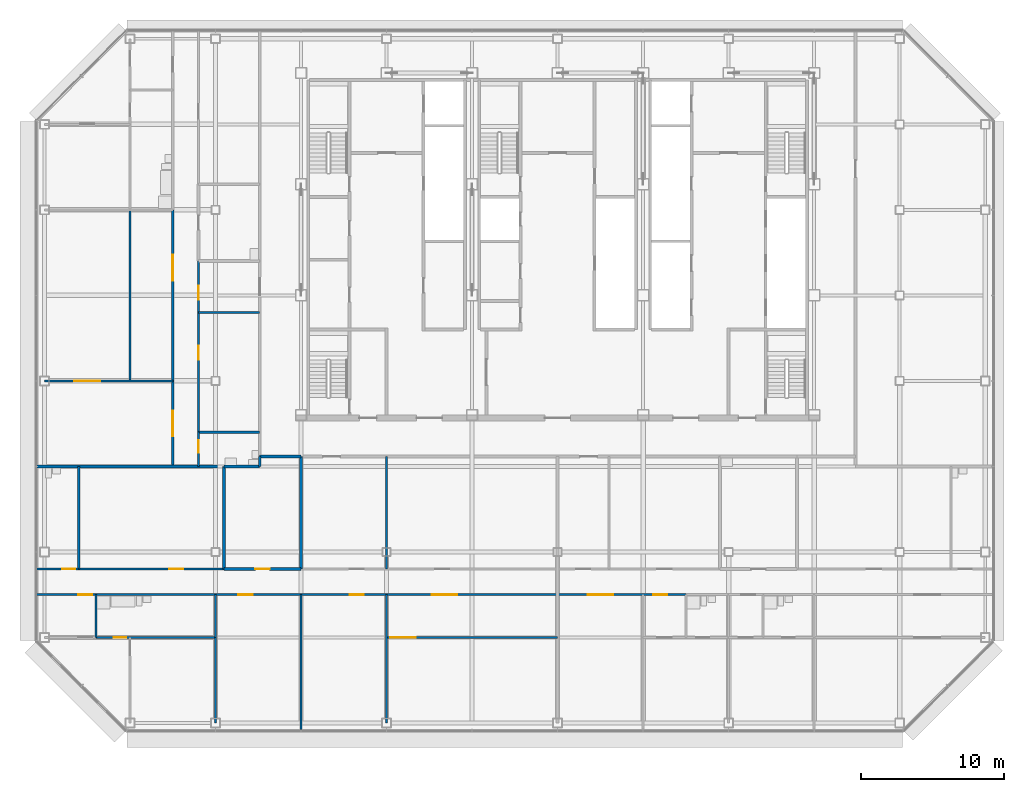
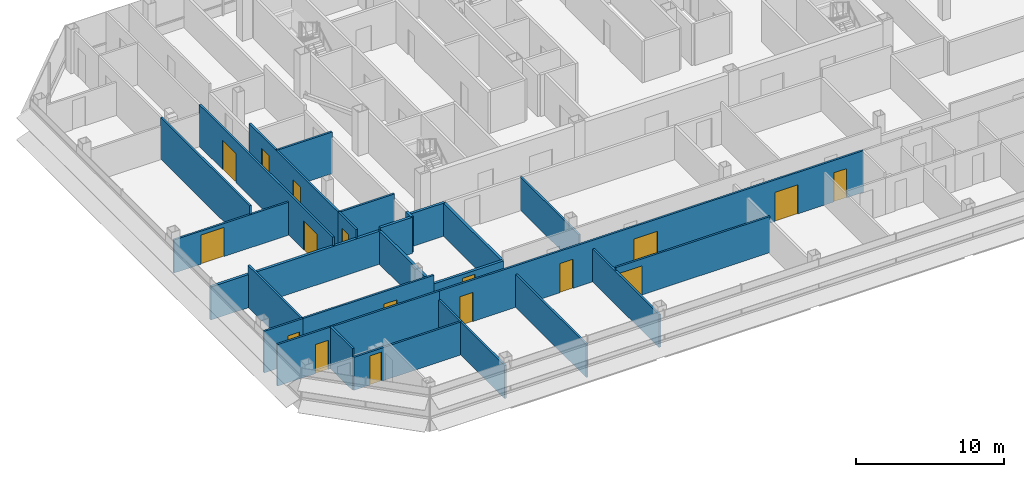
# One storey, part 20 of 26: 28 walls, 17 doors, 17 openings.
"""IFC4 building model written with IfcOpenShell, lengths in metres."""

from ifc_helpers import new_model, si_unit, direction, frame, frame_2d, origin, place, context, subcontext, project, spatial, rectangle, extrude, material, layer, layer_set, type_object, element, fill, save


model = new_model("IFC4")

# Units and contexts
model_context = context("Model", 3, precision=1e-05, world=origin(), true_north=direction((0.0, 1.0)))
body_context = subcontext(model_context, "Body", "Model", "MODEL_VIEW")
ifc_project = project(units=[si_unit("LENGTHUNIT", "METRE"), si_unit("AREAUNIT", "SQUARE_METRE"), si_unit("VOLUMEUNIT", "CUBIC_METRE"), si_unit("PLANEANGLEUNIT", "RADIAN"), si_unit("MASSUNIT", "GRAM", prefix="KILO")], contexts=[model_context])

# Site, building, storey
site_placement = place(None, origin())
site = spatial("IfcSite", under=ifc_project, at=site_placement, CompositionType="ELEMENT")
building_placement = place(site_placement, origin())
building = spatial("IfcBuilding", under=site, at=building_placement, Name="Sorahane Residences", CompositionType="ELEMENT")
storey_placement = place(building_placement, frame((0.0, 0.0, 243.199951171875)))
storey = spatial("IfcBuildingStorey", under=building, at=storey_placement, Name="L57", CompositionType="ELEMENT", Elevation=243.199951171875)

# Walls
ifc_material_1 = material(Name="Concrete blockwork C20 wall", Category="masonry")
ifc_layer_1 = layer(ifc_material_1, 0.199951171875)
ifc_layer_set_1 = layer_set([ifc_layer_1], Name="Kitchen wall 200 EI 180")
wall_type_1 = type_object("IfcWallType", Name="Kitchen wall 200 EI 180", PredefinedType="SOLIDWALL", material=ifc_layer_set_1)
wall_1_placement = place(storey_placement, frame((0.60009765625, 10.800048828125, 0.0), z_axis=(0.0, 0.0, 1.0), x_axis=(0.0, 1.0, 0.0)))
element("IfcWall", 1, at=wall_1_placement, inside=storey, type_object=wall_type_1, Name="L57 kitchen wall", PredefinedType="SOLIDWALL", context=body_context, shape_type="SweptSolid", body=[
    extrude(rectangle(XDim=7.199951171875, YDim=0.199951171875, at=frame_2d((3.60009765625, 0.0))), origin(), (0.0, 0.0, 1.0), 2.719970703125),
])
wall_2_placement = place(storey_placement, frame((3.10009765625, 18.0, 0.0), z_axis=(0.0, 0.0, 1.0), x_axis=(0.0, 1.0, 0.0)))
element("IfcWall", 2, at=wall_2_placement, inside=storey, type_object=wall_type_1, Name="L57 kitchen wall", PredefinedType="SOLIDWALL", context=body_context, shape_type="SweptSolid", body=[
    extrude(rectangle(XDim=0.699951171875, YDim=0.199951171875, at=frame_2d((0.35009765625, 0.0))), origin(), (0.0, 0.0, 1.0), 2.969970703125),
])
wall_3_placement = place(storey_placement, frame((6.0, 10.800048828125, 0.0), z_axis=(0.0, 0.0, 1.0), x_axis=(0.0, 1.0, 0.0)))
element("IfcWall", 3, at=wall_3_placement, inside=storey, type_object=wall_type_1, Name="L57 kitchen wall", PredefinedType="SOLIDWALL", context=body_context, shape_type="SweptSolid", body=[
    extrude(rectangle(XDim=7.89990234375, YDim=0.199951171875, at=frame_2d((3.949951171875, 0.0))), origin(), (0.0, 0.0, 1.0), 2.719970703125),
])

# Wall, opening, door
wall_4_placement = place(storey_placement, frame((0.60009765625, 10.800048828125, 0.0), z_axis=(0.0, 0.0, 1.0), x_axis=(1.0, 0.0, 0.0)))
wall_4 = element("IfcWall", 4, at=wall_4_placement, inside=storey, type_object=wall_type_1, Name="L57 kitchen wall", PredefinedType="SOLIDWALL", context=body_context, shape_type="SweptSolid", body=[
    extrude(rectangle(XDim=5.39990234375, YDim=0.199951171875, at=frame_2d((2.699951171875, 0.0))), origin(), (0.0, 0.0, 1.0), 2.719970703125),
])
opening_1_placement = place(wall_4_placement, frame((2.199951171875, 0.0, 0.0)))
opening_1 = element("IfcOpeningElement", 5, at=opening_1_placement, cuts=wall_4, Name="Opening L57-04", PredefinedType="OPENING", context=body_context, shape_type="SweptSolid", body=[
    extrude(rectangle(XDim=1.0, YDim=2.39990234375, at=frame_2d((0.5, 1.199951171875))), frame((0.0, 0.10986328125, 0.0), z_axis=(0.0, -1.0, 0.0), x_axis=(1.0, 0.0, 0.0)), (0.0, 0.0, 1.0), 0.219970703125),
])
ifc_material_2 = material(Name="Steel", Category="steel")
door_type_1 = type_object("IfcDoorType", Name="Kitchen door 1000x2400 FD120", OperationType="NOTDEFINED", PredefinedType="DOOR", material=ifc_material_2)
door_1_placement = place(opening_1_placement, origin())
door_1 = element("IfcDoor", 6, at=door_1_placement, inside=storey, type_object=door_type_1, Name="Kitchen door L57-04", OperationType="SINGLE_SWING_RIGHT", OverallHeight=2.39990234375, OverallWidth=1.0, PredefinedType="DOOR", context=body_context, shape_type="SweptSolid", body=[
    extrude(rectangle(XDim=1.0, YDim=2.39990234375, at=frame_2d((0.5, 1.199951171875))), frame((0.0, 0.02490234375, 0.0), z_axis=(0.0, -1.0, 0.0), x_axis=(1.0, 0.0, 0.0)), (0.0, 0.0, 1.0), 0.050048828125),
])
fill(opening_1, door_1)

# Walls
wall_5_placement = place(storey_placement, frame((0.60009765625, 18.0, 0.0), z_axis=(0.0, 0.0, 1.0), x_axis=(1.0, 0.0, 0.0)))
element("IfcWall", 7, at=wall_5_placement, inside=storey, type_object=wall_type_1, Name="L57 kitchen wall", PredefinedType="SOLIDWALL", context=body_context, shape_type="SweptSolid", body=[
    extrude(rectangle(XDim=2.5, YDim=0.199951171875, at=frame_2d((1.25, 0.0))), origin(), (0.0, 0.0, 1.0), 2.969970703125),
])
wall_6_placement = place(storey_placement, frame((3.10009765625, 18.699951171875, 0.0), z_axis=(0.0, 0.0, 1.0), x_axis=(1.0, 0.0, 0.0)))
element("IfcWall", 8, at=wall_6_placement, inside=storey, type_object=wall_type_1, Name="L57 kitchen wall", PredefinedType="SOLIDWALL", context=body_context, shape_type="SweptSolid", body=[
    extrude(rectangle(XDim=2.89990234375, YDim=0.199951171875, at=frame_2d((1.449951171875, 0.0))), origin(), (0.0, 0.0, 1.0), 2.719970703125),
])

# Wall, openings, doors
ifc_material_3 = material(Name="Gypsum board partition on steel studs", Category="steel")
ifc_layer_2 = layer(ifc_material_3, 0.14990234375)
ifc_layer_set_2 = layer_set([ifc_layer_2], Name="Partition 150 EI 90")
wall_type_2 = type_object("IfcWallType", Name="Partition 150 EI 90", PredefinedType="PARTITIONING", material=ifc_layer_set_2)
wall_7_placement = place(storey_placement, frame((-1.199951171875, 20.39990234375, 0.0), z_axis=(0.0, 0.0, 1.0), x_axis=(0.0, 1.0, 0.0)))
wall_7 = element("IfcWall", 9, at=wall_7_placement, inside=storey, type_object=wall_type_2, Name="L57 partition", PredefinedType="PARTITIONING", context=body_context, shape_type="SweptSolid", body=[
    extrude(rectangle(XDim=12.0, YDim=0.14990234375, at=frame_2d((6.0, 0.0))), origin(), (0.0, 0.0, 1.0), 3.420166015625),
])
opening_2_placement = place(wall_7_placement, frame((9.280029296875, 0.0, 0.0)))
opening_2 = element("IfcOpeningElement", 10, at=opening_2_placement, cuts=wall_7, Name="Opening L57-28", PredefinedType="OPENING", context=body_context, shape_type="SweptSolid", body=[
    extrude(rectangle(XDim=1.0, YDim=2.39990234375, at=frame_2d((0.5, 1.199951171875))), frame((0.0, 0.0849609375, 0.0), z_axis=(0.0, -1.0, 0.0), x_axis=(1.0, 0.0, 0.0)), (0.0, 0.0, 1.0), 0.169921875),
])
opening_3_placement = place(wall_7_placement, frame((5.080078125, 0.0, 0.0)))
opening_3 = element("IfcOpeningElement", 11, at=opening_3_placement, cuts=wall_7, Name="Opening L57-30", PredefinedType="OPENING", context=body_context, shape_type="SweptSolid", body=[
    extrude(rectangle(XDim=1.0, YDim=2.39990234375, at=frame_2d((0.5, 1.199951171875))), frame((0.0, 0.0849609375, 0.0), z_axis=(0.0, -1.0, 0.0), x_axis=(1.0, 0.0, 0.0)), (0.0, 0.0, 1.0), 0.169921875),
])
ifc_material_4 = material(Name="Timber veneered fire door", Category="wood")
door_type_2 = type_object("IfcDoorType", Name="Room door 1000x2400 FD30", OperationType="NOTDEFINED", PredefinedType="DOOR", material=ifc_material_4)
door_2_placement = place(opening_2_placement, origin())
door_2 = element("IfcDoor", 12, at=door_2_placement, inside=storey, type_object=door_type_2, Name="Room door L57-28", OperationType="SINGLE_SWING_LEFT", OverallHeight=2.39990234375, OverallWidth=1.0, PredefinedType="DOOR", context=body_context, shape_type="SweptSolid", body=[
    extrude(rectangle(XDim=1.0, YDim=2.39990234375, at=frame_2d((0.5, 1.199951171875))), frame((0.0, 0.02490234375, 0.0), z_axis=(0.0, -1.0, 0.0), x_axis=(1.0, 0.0, 0.0)), (0.0, 0.0, 1.0), 0.050048828125),
])
fill(opening_2, door_2)
door_3_placement = place(opening_3_placement, frame((1.0, 0.0, 0.0), z_axis=(0.0, 0.0, 1.0), x_axis=(-1.0, 0.0, 0.0)))
door_3 = element("IfcDoor", 13, at=door_3_placement, inside=storey, type_object=door_type_2, Name="Room door L57-30", OperationType="SINGLE_SWING_LEFT", OverallHeight=2.39990234375, OverallWidth=1.0, PredefinedType="DOOR", context=body_context, shape_type="SweptSolid", body=[
    extrude(rectangle(XDim=1.0, YDim=2.39990234375, at=frame_2d((0.5, 1.199951171875))), frame((0.0, 0.02490234375, 0.0), z_axis=(0.0, -1.0, 0.0), x_axis=(1.0, 0.0, 0.0)), (0.0, 0.0, 1.0), 0.050048828125),
])
fill(opening_3, door_3)

wall_8_placement = place(storey_placement, frame((-3.0, 18.0, 0.0), z_axis=(0.0, 0.0, 1.0), x_axis=(0.0, 1.0, 0.0)))
wall_8 = element("IfcWall", 14, at=wall_8_placement, inside=storey, type_object=wall_type_2, Name="L57 partition", PredefinedType="PARTITIONING", context=body_context, shape_type="SweptSolid", body=[
    extrude(rectangle(XDim=18.0, YDim=0.14990234375, at=frame_2d((9.0, 0.0))), origin(), (0.0, 0.0, 1.0), 3.420166015625),
])
opening_4_placement = place(wall_8_placement, frame((2.10009765625, 0.0, 0.0)))
opening_4 = element("IfcOpeningElement", 15, at=opening_4_placement, cuts=wall_8, Name="Opening L57-33", PredefinedType="OPENING", context=body_context, shape_type="SweptSolid", body=[
    extrude(rectangle(XDim=1.800048828125, YDim=2.39990234375, at=frame_2d((0.89990234375, 1.199951171875))), frame((0.0, 0.0849609375, 0.0), z_axis=(0.0, -1.0, 0.0), x_axis=(1.0, 0.0, 0.0)), (0.0, 0.0, 1.0), 0.169921875),
])
opening_5_placement = place(wall_8_placement, frame((13.0400390625, 0.0, 0.0)))
opening_5 = element("IfcOpeningElement", 16, at=opening_5_placement, cuts=wall_8, Name="Opening L57-35", PredefinedType="OPENING", context=body_context, shape_type="SweptSolid", body=[
    extrude(rectangle(XDim=1.800048828125, YDim=2.39990234375, at=frame_2d((0.89990234375, 1.199951171875))), frame((0.0, 0.0849609375, 0.0), z_axis=(0.0, -1.0, 0.0), x_axis=(1.0, 0.0, 0.0)), (0.0, 0.0, 1.0), 0.169921875),
])
ifc_material_5 = material(Name="Timber veneered fire door", Category="wood")
door_type_3 = type_object("IfcDoorType", Name="Double door 1800x2400 FD30", OperationType="NOTDEFINED", PredefinedType="DOOR", material=ifc_material_5)
door_4_placement = place(opening_4_placement, origin())
door_4 = element("IfcDoor", 17, at=door_4_placement, inside=storey, type_object=door_type_3, Name="Double door L57-33", OperationType="SINGLE_SWING_LEFT", OverallHeight=2.39990234375, OverallWidth=1.800048828125, PredefinedType="DOOR", context=body_context, shape_type="SweptSolid", body=[
    extrude(rectangle(XDim=1.800048828125, YDim=2.39990234375, at=frame_2d((0.89990234375, 1.199951171875))), frame((0.0, 0.02490234375, 0.0), z_axis=(0.0, -1.0, 0.0), x_axis=(1.0, 0.0, 0.0)), (0.0, 0.0, 1.0), 0.050048828125),
])
fill(opening_4, door_4)
door_5_placement = place(opening_5_placement, origin())
door_5 = element("IfcDoor", 18, at=door_5_placement, inside=storey, type_object=door_type_3, Name="Double door L57-35", OperationType="SINGLE_SWING_RIGHT", OverallHeight=2.39990234375, OverallWidth=1.800048828125, PredefinedType="DOOR", context=body_context, shape_type="SweptSolid", body=[
    extrude(rectangle(XDim=1.800048828125, YDim=2.39990234375, at=frame_2d((0.89990234375, 1.199951171875))), frame((0.0, 0.02490234375, 0.0), z_axis=(0.0, -1.0, 0.0), x_axis=(1.0, 0.0, 0.0)), (0.0, 0.0, 1.0), 0.050048828125),
])
fill(opening_5, door_5)

# Walls
wall_9_placement = place(storey_placement, frame((-6.0, 24.0, 0.0), z_axis=(0.0, 0.0, 1.0), x_axis=(0.0, 1.0, 0.0)))
element("IfcWall", 19, at=wall_9_placement, inside=storey, type_object=wall_type_2, Name="L57 partition", PredefinedType="PARTITIONING", context=body_context, shape_type="SweptSolid", body=[
    extrude(rectangle(XDim=12.0, YDim=0.14990234375, at=frame_2d((6.0, 0.0))), origin(), (0.0, 0.0, 1.0), 3.420166015625),
])
wall_10_placement = place(storey_placement, frame((0.0, 0.0, 0.0), z_axis=(0.0, 0.0, 1.0), x_axis=(0.0, 1.0, 0.0)))
element("IfcWall", 20, at=wall_10_placement, inside=storey, type_object=wall_type_2, Name="L57 partition", PredefinedType="PARTITIONING", context=body_context, shape_type="SweptSolid", body=[
    extrude(rectangle(XDim=6.0, YDim=0.14990234375, at=frame_2d((3.0, 0.0))), origin(), (0.0, 0.0, 1.0), 2.719970703125),
])
wall_11_placement = place(storey_placement, frame((12.0, 0.0, 0.0), z_axis=(0.0, 0.0, 1.0), x_axis=(0.0, 1.0, 0.0)))
element("IfcWall", 21, at=wall_11_placement, inside=storey, type_object=wall_type_2, Name="L57 partition", PredefinedType="PARTITIONING", context=body_context, shape_type="SweptSolid", body=[
    extrude(rectangle(XDim=9.0, YDim=0.14990234375, at=frame_2d((4.5, 0.0))), origin(), (0.0, 0.0, 1.0), 2.719970703125),
])
wall_12_placement = place(storey_placement, frame((12.0, 10.800048828125, 0.0), z_axis=(0.0, 0.0, 1.0), x_axis=(0.0, 1.0, 0.0)))
element("IfcWall", 22, at=wall_12_placement, inside=storey, type_object=wall_type_2, Name="L57 partition", PredefinedType="PARTITIONING", context=body_context, shape_type="SweptSolid", body=[
    extrude(rectangle(XDim=7.89990234375, YDim=0.14990234375, at=frame_2d((3.949951171875, 0.0))), origin(), (0.0, 0.0, 1.0), 2.719970703125),
])
wall_13_placement = place(storey_placement, frame((6.0, -0.60009765625, 0.0), z_axis=(0.0, 0.0, 1.0), x_axis=(0.0, 1.0, 0.0)))
element("IfcWall", 23, at=wall_13_placement, inside=storey, type_object=wall_type_2, Name="L57 partition", PredefinedType="PARTITIONING", context=body_context, shape_type="SweptSolid", body=[
    extrude(rectangle(XDim=9.60009765625, YDim=0.14990234375, at=frame_2d((4.800048828125, 0.0))), origin(), (0.0, 0.0, 1.0), 2.719970703125),
])

# Wall, opening, door
wall_14_placement = place(storey_placement, frame((-9.60009765625, 10.800048828125, 0.0), z_axis=(0.0, 0.0, 1.0), x_axis=(1.0, 0.0, 0.0)))
wall_14 = element("IfcWall", 24, at=wall_14_placement, inside=storey, type_object=wall_type_2, Name="L57 partition", PredefinedType="PARTITIONING", context=body_context, shape_type="SweptSolid", body=[
    extrude(rectangle(XDim=10.2001953125, YDim=0.14990234375, at=frame_2d((5.10009765625, 0.0))), origin(), (0.0, 0.0, 1.0), 3.420166015625),
])
opening_6_placement = place(wall_14_placement, frame((6.340087890625, 0.0, 0.0)))
opening_6 = element("IfcOpeningElement", 25, at=opening_6_placement, cuts=wall_14, Name="Opening L57-03", PredefinedType="OPENING", context=body_context, shape_type="SweptSolid", body=[
    extrude(rectangle(XDim=1.0, YDim=2.39990234375, at=frame_2d((0.5, 1.199951171875))), frame((0.0, 0.0849609375, 0.0), z_axis=(0.0, -1.0, 0.0), x_axis=(1.0, 0.0, 0.0)), (0.0, 0.0, 1.0), 0.169921875),
])
door_6_placement = place(opening_6_placement, origin())
door_6 = element("IfcDoor", 26, at=door_6_placement, inside=storey, type_object=door_type_2, Name="Room door L57-03", OperationType="SINGLE_SWING_RIGHT", OverallHeight=2.39990234375, OverallWidth=1.0, PredefinedType="DOOR", context=body_context, shape_type="SweptSolid", body=[
    extrude(rectangle(XDim=1.0, YDim=2.39990234375, at=frame_2d((0.5, 1.199951171875))), frame((0.0, 0.02490234375, 0.0), z_axis=(0.0, -1.0, 0.0), x_axis=(1.0, 0.0, 0.0)), (0.0, 0.0, 1.0), 0.050048828125),
])
fill(opening_6, door_6)

wall_15_placement = place(storey_placement, frame((-12.0, 24.0, 0.0), z_axis=(0.0, 0.0, 1.0), x_axis=(1.0, 0.0, 0.0)))
wall_15 = element("IfcWall", 27, at=wall_15_placement, inside=storey, type_object=wall_type_2, Name="L57 partition", PredefinedType="PARTITIONING", context=body_context, shape_type="SweptSolid", body=[
    extrude(rectangle(XDim=9.0, YDim=0.14990234375, at=frame_2d((4.5, 0.0))), origin(), (0.0, 0.0, 1.0), 2.719970703125),
])
opening_7_placement = place(wall_15_placement, frame((2.10009765625, 0.0, 0.0)))
opening_7 = element("IfcOpeningElement", 28, at=opening_7_placement, cuts=wall_15, Name="Opening L57-34", PredefinedType="OPENING", context=body_context, shape_type="SweptSolid", body=[
    extrude(rectangle(XDim=1.800048828125, YDim=2.39990234375, at=frame_2d((0.89990234375, 1.199951171875))), frame((0.0, 0.0849609375, 0.0), z_axis=(0.0, -1.0, 0.0), x_axis=(1.0, 0.0, 0.0)), (0.0, 0.0, 1.0), 0.169921875),
])
door_7_placement = place(opening_7_placement, origin())
door_7 = element("IfcDoor", 29, at=door_7_placement, inside=storey, type_object=door_type_3, Name="Double door L57-34", OperationType="SINGLE_SWING_LEFT", OverallHeight=2.39990234375, OverallWidth=1.800048828125, PredefinedType="DOOR", context=body_context, shape_type="SweptSolid", body=[
    extrude(rectangle(XDim=1.800048828125, YDim=2.39990234375, at=frame_2d((0.89990234375, 1.199951171875))), frame((0.0, 0.02490234375, 0.0), z_axis=(0.0, -1.0, 0.0), x_axis=(1.0, 0.0, 0.0)), (0.0, 0.0, 1.0), 0.050048828125),
])
fill(opening_7, door_7)

# Wall
wall_16_placement = place(storey_placement, frame((-1.199951171875, 28.800048828125, 0.0), z_axis=(0.0, 0.0, 1.0), x_axis=(1.0, 0.0, 0.0)))
element("IfcWall", 30, at=wall_16_placement, inside=storey, type_object=wall_type_2, Name="L57 partition", PredefinedType="PARTITIONING", context=body_context, shape_type="SweptSolid", body=[
    extrude(rectangle(XDim=4.300048828125, YDim=0.14990234375, at=frame_2d((2.14990234375, 0.0))), origin(), (0.0, 0.0, 1.0), 3.420166015625),
])

# Wall, opening, door
wall_17_placement = place(storey_placement, frame((12.0, 6.0, 0.0), z_axis=(0.0, 0.0, 1.0), x_axis=(1.0, 0.0, 0.0)))
wall_17 = element("IfcWall", 31, at=wall_17_placement, inside=storey, type_object=wall_type_2, Name="L57 partition", PredefinedType="PARTITIONING", context=body_context, shape_type="SweptSolid", body=[
    extrude(rectangle(XDim=12.0, YDim=0.14990234375, at=frame_2d((6.0, 0.0))), origin(), (0.0, 0.0, 1.0), 2.969970703125),
])
opening_8_placement = place(wall_17_placement, frame((0.25, 0.0, 0.0)))
opening_8 = element("IfcOpeningElement", 32, at=opening_8_placement, cuts=wall_17, Name="Opening L57-13", PredefinedType="OPENING", context=body_context, shape_type="SweptSolid", body=[
    extrude(rectangle(XDim=1.800048828125, YDim=2.39990234375, at=frame_2d((0.89990234375, 1.199951171875))), frame((0.0, 0.0849609375, 0.0), z_axis=(0.0, -1.0, 0.0), x_axis=(1.0, 0.0, 0.0)), (0.0, 0.0, 1.0), 0.169921875),
])
door_8_placement = place(opening_8_placement, frame((1.800048828125, 0.0, 0.0), z_axis=(0.0, 0.0, 1.0), x_axis=(-1.0, 0.0, 0.0)))
door_8 = element("IfcDoor", 33, at=door_8_placement, inside=storey, type_object=door_type_3, Name="Double door L57-13", OperationType="SINGLE_SWING_RIGHT", OverallHeight=2.39990234375, OverallWidth=1.800048828125, PredefinedType="DOOR", context=body_context, shape_type="SweptSolid", body=[
    extrude(rectangle(XDim=1.800048828125, YDim=2.39990234375, at=frame_2d((0.89990234375, 1.199951171875))), frame((0.0, 0.02490234375, 0.0), z_axis=(0.0, -1.0, 0.0), x_axis=(1.0, 0.0, 0.0)), (0.0, 0.0, 1.0), 0.050048828125),
])
fill(opening_8, door_8)

wall_18_placement = place(storey_placement, frame((-12.60009765625, 9.0, 0.0), z_axis=(0.0, 0.0, 1.0), x_axis=(1.0, 0.0, 0.0)))
wall_18 = element("IfcWall", 34, at=wall_18_placement, inside=storey, type_object=wall_type_2, Name="L57 partition", PredefinedType="PARTITIONING", context=body_context, shape_type="SweptSolid", body=[
    extrude(rectangle(XDim=4.2001953125, YDim=0.14990234375, at=frame_2d((2.10009765625, 0.0))), origin(), (0.0, 0.0, 1.0), 3.420166015625),
])
opening_9_placement = place(wall_18_placement, frame((2.949951171875, 0.0, 0.0)))
opening_9 = element("IfcOpeningElement", 35, at=opening_9_placement, cuts=wall_18, Name="Opening L57-06", PredefinedType="OPENING", context=body_context, shape_type="SweptSolid", body=[
    extrude(rectangle(XDim=1.0, YDim=2.39990234375, at=frame_2d((0.5, 1.199951171875))), frame((0.0, 0.0849609375, 0.0), z_axis=(0.0, -1.0, 0.0), x_axis=(1.0, 0.0, 0.0)), (0.0, 0.0, 1.0), 0.169921875),
])
door_9_placement = place(opening_9_placement, frame((1.0, 0.0, 0.0), z_axis=(0.0, 0.0, 1.0), x_axis=(-1.0, 0.0, 0.0)))
door_9 = element("IfcDoor", 36, at=door_9_placement, inside=storey, type_object=door_type_2, Name="Room door L57-06", OperationType="SINGLE_SWING_LEFT", OverallHeight=2.39990234375, OverallWidth=1.0, PredefinedType="DOOR", context=body_context, shape_type="SweptSolid", body=[
    extrude(rectangle(XDim=1.0, YDim=2.39990234375, at=frame_2d((0.5, 1.199951171875))), frame((0.0, 0.02490234375, 0.0), z_axis=(0.0, -1.0, 0.0), x_axis=(1.0, 0.0, 0.0)), (0.0, 0.0, 1.0), 0.050048828125),
])
fill(opening_9, door_9)

# Wall, openings, doors
wall_19_placement = place(storey_placement, frame((0.0, 9.0, 0.0), z_axis=(0.0, 0.0, 1.0), x_axis=(1.0, 0.0, 0.0)))
wall_19 = element("IfcWall", 37, at=wall_19_placement, inside=storey, type_object=wall_type_2, Name="L57 partition", PredefinedType="PARTITIONING", context=body_context, shape_type="SweptSolid", body=[
    extrude(rectangle(XDim=33.0, YDim=0.14990234375, at=frame_2d((16.5, 0.0))), origin(), (0.0, 0.0, 1.0), 3.420166015625),
])
opening_10_placement = place(wall_19_placement, frame((1.60009765625, 0.0, 0.0)))
opening_10 = element("IfcOpeningElement", 38, at=opening_10_placement, cuts=wall_19, Name="Opening L57-07", PredefinedType="OPENING", context=body_context, shape_type="SweptSolid", body=[
    extrude(rectangle(XDim=1.0, YDim=2.39990234375, at=frame_2d((0.5, 1.199951171875))), frame((0.0, 0.0849609375, 0.0), z_axis=(0.0, -1.0, 0.0), x_axis=(1.0, 0.0, 0.0)), (0.0, 0.0, 1.0), 0.169921875),
])
opening_11_placement = place(wall_19_placement, frame((9.39990234375, 0.0, 0.0)))
opening_11 = element("IfcOpeningElement", 39, at=opening_11_placement, cuts=wall_19, Name="Opening L57-08", PredefinedType="OPENING", context=body_context, shape_type="SweptSolid", body=[
    extrude(rectangle(XDim=1.0, YDim=2.39990234375, at=frame_2d((0.5, 1.199951171875))), frame((0.0, 0.0849609375, 0.0), z_axis=(0.0, -1.0, 0.0), x_axis=(1.0, 0.0, 0.0)), (0.0, 0.0, 1.0), 0.169921875),
])
opening_12_placement = place(wall_19_placement, frame((15.159912109375, 0.0, 0.0)))
opening_12 = element("IfcOpeningElement", 40, at=opening_12_placement, cuts=wall_19, Name="Opening L57-09", PredefinedType="OPENING", context=body_context, shape_type="SweptSolid", body=[
    extrude(rectangle(XDim=1.800048828125, YDim=2.39990234375, at=frame_2d((0.89990234375, 1.199951171875))), frame((0.0, 0.0849609375, 0.0), z_axis=(0.0, -1.0, 0.0), x_axis=(1.0, 0.0, 0.0)), (0.0, 0.0, 1.0), 0.169921875),
])
opening_13_placement = place(wall_19_placement, frame((26.10009765625, 0.0, 0.0)))
opening_13 = element("IfcOpeningElement", 41, at=opening_13_placement, cuts=wall_19, Name="Opening L57-19", PredefinedType="OPENING", context=body_context, shape_type="SweptSolid", body=[
    extrude(rectangle(XDim=1.800048828125, YDim=2.39990234375, at=frame_2d((0.89990234375, 1.199951171875))), frame((0.0, 0.0849609375, 0.0), z_axis=(0.0, -1.0, 0.0), x_axis=(1.0, 0.0, 0.0)), (0.0, 0.0, 1.0), 0.169921875),
])
opening_14_placement = place(wall_19_placement, frame((30.699951171875, 0.0, 0.0)))
opening_14 = element("IfcOpeningElement", 42, at=opening_14_placement, cuts=wall_19, Name="Opening L57-20", PredefinedType="OPENING", context=body_context, shape_type="SweptSolid", body=[
    extrude(rectangle(XDim=1.0, YDim=2.39990234375, at=frame_2d((0.5, 1.199951171875))), frame((0.0, 0.0849609375, 0.0), z_axis=(0.0, -1.0, 0.0), x_axis=(1.0, 0.0, 0.0)), (0.0, 0.0, 1.0), 0.169921875),
])
door_10_placement = place(opening_12_placement, frame((1.800048828125, 0.0, 0.0), z_axis=(0.0, 0.0, 1.0), x_axis=(-1.0, 0.0, 0.0)))
door_10 = element("IfcDoor", 43, at=door_10_placement, inside=storey, type_object=door_type_3, Name="Double door L57-09", OperationType="SINGLE_SWING_RIGHT", OverallHeight=2.39990234375, OverallWidth=1.800048828125, PredefinedType="DOOR", context=body_context, shape_type="SweptSolid", body=[
    extrude(rectangle(XDim=1.800048828125, YDim=2.39990234375, at=frame_2d((0.89990234375, 1.199951171875))), frame((0.0, 0.02490234375, 0.0), z_axis=(0.0, -1.0, 0.0), x_axis=(1.0, 0.0, 0.0)), (0.0, 0.0, 1.0), 0.050048828125),
])
fill(opening_12, door_10)
door_11_placement = place(opening_13_placement, frame((1.800048828125, 0.0, 0.0), z_axis=(0.0, 0.0, 1.0), x_axis=(-1.0, 0.0, 0.0)))
door_11 = element("IfcDoor", 44, at=door_11_placement, inside=storey, type_object=door_type_3, Name="Double door L57-19", OperationType="SINGLE_SWING_RIGHT", OverallHeight=2.39990234375, OverallWidth=1.800048828125, PredefinedType="DOOR", context=body_context, shape_type="SweptSolid", body=[
    extrude(rectangle(XDim=1.800048828125, YDim=2.39990234375, at=frame_2d((0.89990234375, 1.199951171875))), frame((0.0, 0.02490234375, 0.0), z_axis=(0.0, -1.0, 0.0), x_axis=(1.0, 0.0, 0.0)), (0.0, 0.0, 1.0), 0.050048828125),
])
fill(opening_13, door_11)
door_12_placement = place(opening_10_placement, frame((1.0, 0.0, 0.0), z_axis=(0.0, 0.0, 1.0), x_axis=(-1.0, 0.0, 0.0)))
door_12 = element("IfcDoor", 45, at=door_12_placement, inside=storey, type_object=door_type_2, Name="Room door L57-07", OperationType="SINGLE_SWING_LEFT", OverallHeight=2.39990234375, OverallWidth=1.0, PredefinedType="DOOR", context=body_context, shape_type="SweptSolid", body=[
    extrude(rectangle(XDim=1.0, YDim=2.39990234375, at=frame_2d((0.5, 1.199951171875))), frame((0.0, 0.02490234375, 0.0), z_axis=(0.0, -1.0, 0.0), x_axis=(1.0, 0.0, 0.0)), (0.0, 0.0, 1.0), 0.050048828125),
])
fill(opening_10, door_12)
door_13_placement = place(opening_11_placement, frame((1.0, 0.0, 0.0), z_axis=(0.0, 0.0, 1.0), x_axis=(-1.0, 0.0, 0.0)))
door_13 = element("IfcDoor", 46, at=door_13_placement, inside=storey, type_object=door_type_2, Name="Room door L57-08", OperationType="SINGLE_SWING_LEFT", OverallHeight=2.39990234375, OverallWidth=1.0, PredefinedType="DOOR", context=body_context, shape_type="SweptSolid", body=[
    extrude(rectangle(XDim=1.0, YDim=2.39990234375, at=frame_2d((0.5, 1.199951171875))), frame((0.0, 0.02490234375, 0.0), z_axis=(0.0, -1.0, 0.0), x_axis=(1.0, 0.0, 0.0)), (0.0, 0.0, 1.0), 0.050048828125),
])
fill(opening_11, door_13)
door_14_placement = place(opening_14_placement, frame((1.0, 0.0, 0.0), z_axis=(0.0, 0.0, 1.0), x_axis=(-1.0, 0.0, 0.0)))
door_14 = element("IfcDoor", 47, at=door_14_placement, inside=storey, type_object=door_type_2, Name="Room door L57-20", OperationType="SINGLE_SWING_RIGHT", OverallHeight=2.39990234375, OverallWidth=1.0, PredefinedType="DOOR", context=body_context, shape_type="SweptSolid", body=[
    extrude(rectangle(XDim=1.0, YDim=2.39990234375, at=frame_2d((0.5, 1.199951171875))), frame((0.0, 0.02490234375, 0.0), z_axis=(0.0, -1.0, 0.0), x_axis=(1.0, 0.0, 0.0)), (0.0, 0.0, 1.0), 0.050048828125),
])
fill(opening_14, door_14)

# Wall
ifc_material_6 = material(Name="Concrete blockwork C20 wall", Category="masonry")
ifc_layer_3 = layer(ifc_material_6, 0.199951171875)
ifc_layer_set_3 = layer_set([ifc_layer_3], Name="Party wall 200 EI 120")
wall_type_3 = type_object("IfcWallType", Name="Party wall 200 EI 120", PredefinedType="SOLIDWALL", material=ifc_layer_set_3)
wall_20_placement = place(storey_placement, frame((-12.60009765625, 18.0, 0.0), z_axis=(0.0, 0.0, 1.0), x_axis=(1.0, 0.0, 0.0)))
element("IfcWall", 48, at=wall_20_placement, inside=storey, type_object=wall_type_3, Name="L57 party wall", PredefinedType="SOLIDWALL", context=body_context, shape_type="SweptSolid", body=[
    extrude(rectangle(XDim=13.2001953125, YDim=0.199951171875, at=frame_2d((6.60009765625, 0.0))), origin(), (0.0, 0.0, 1.0), 2.719970703125),
])

# Wall, opening, door
ifc_material_7 = material(Name="Gypsum board partition on steel studs", Category="steel")
ifc_layer_4 = layer(ifc_material_7, 0.14990234375)
ifc_layer_set_4 = layer_set([ifc_layer_4], Name="Wet wall 150 EI 90")
wall_type_4 = type_object("IfcWallType", Name="Wet wall 150 EI 90", PredefinedType="PARTITIONING", material=ifc_layer_set_4)
wall_21_placement = place(storey_placement, frame((-1.199951171875, 18.0, 0.0), z_axis=(0.0, 0.0, 1.0), x_axis=(0.0, 1.0, 0.0)))
wall_21 = element("IfcWall", 49, at=wall_21_placement, inside=storey, type_object=wall_type_4, Name="L57 wet wall", PredefinedType="PARTITIONING", context=body_context, shape_type="SweptSolid", body=[
    extrude(rectangle(XDim=2.39990234375, YDim=0.14990234375, at=frame_2d((1.199951171875, 0.0))), origin(), (0.0, 0.0, 1.0), 3.420166015625),
])
opening_15_placement = place(wall_21_placement, frame((0.949951171875, 0.0, 0.0)))
opening_15 = element("IfcOpeningElement", 50, at=opening_15_placement, cuts=wall_21, Name="Opening L57-29", PredefinedType="OPENING", context=body_context, shape_type="SweptSolid", body=[
    extrude(rectangle(XDim=0.89990234375, YDim=2.39990234375, at=frame_2d((0.449951171875, 1.199951171875))), frame((0.0, 0.0849609375, 0.0), z_axis=(0.0, -1.0, 0.0), x_axis=(1.0, 0.0, 0.0)), (0.0, 0.0, 1.0), 0.169921875),
])
ifc_material_8 = material(Name="Timber veneered fire door", Category="wood")
door_type_4 = type_object("IfcDoorType", Name="Bathroom door 900x2400 FD30", OperationType="NOTDEFINED", PredefinedType="DOOR", material=ifc_material_8)
door_15_placement = place(opening_15_placement, origin())
door_15 = element("IfcDoor", 51, at=door_15_placement, inside=storey, type_object=door_type_4, Name="Bathroom door L57-29", OperationType="SINGLE_SWING_RIGHT", OverallHeight=2.39990234375, OverallWidth=0.89990234375, PredefinedType="DOOR", context=body_context, shape_type="SweptSolid", body=[
    extrude(rectangle(XDim=0.89990234375, YDim=2.39990234375, at=frame_2d((0.449951171875, 1.199951171875))), frame((0.0, 0.02490234375, 0.0), z_axis=(0.0, -1.0, 0.0), x_axis=(1.0, 0.0, 0.0)), (0.0, 0.0, 1.0), 0.050048828125),
])
fill(opening_15, door_15)

# Walls
wall_22_placement = place(storey_placement, frame((-8.39990234375, 6.0, 0.0), z_axis=(0.0, 0.0, 1.0), x_axis=(0.0, 1.0, 0.0)))
element("IfcWall", 52, at=wall_22_placement, inside=storey, type_object=wall_type_4, Name="L57 wet wall", PredefinedType="PARTITIONING", context=body_context, shape_type="SweptSolid", body=[
    extrude(rectangle(XDim=3.0, YDim=0.14990234375, at=frame_2d((1.5, 0.0))), origin(), (0.0, 0.0, 1.0), 3.420166015625),
])
wall_23_placement = place(storey_placement, frame((-9.60009765625, 10.800048828125, 0.0), z_axis=(0.0, 0.0, 1.0), x_axis=(0.0, 1.0, 0.0)))
element("IfcWall", 53, at=wall_23_placement, inside=storey, type_object=wall_type_4, Name="L57 wet wall", PredefinedType="PARTITIONING", context=body_context, shape_type="SweptSolid", body=[
    extrude(rectangle(XDim=7.199951171875, YDim=0.14990234375, at=frame_2d((3.60009765625, 0.0))), origin(), (0.0, 0.0, 1.0), 3.420166015625),
])
wall_24_placement = place(storey_placement, frame((0.0, 6.0, 0.0), z_axis=(0.0, 0.0, 1.0), x_axis=(0.0, 1.0, 0.0)))
element("IfcWall", 54, at=wall_24_placement, inside=storey, type_object=wall_type_4, Name="L57 wet wall", PredefinedType="PARTITIONING", context=body_context, shape_type="SweptSolid", body=[
    extrude(rectangle(XDim=3.0, YDim=0.14990234375, at=frame_2d((1.5, 0.0))), origin(), (0.0, 0.0, 1.0), 2.719970703125),
])

# Wall, opening, door
wall_25_placement = place(storey_placement, frame((-12.60009765625, 10.800048828125, 0.0), z_axis=(0.0, 0.0, 1.0), x_axis=(1.0, 0.0, 0.0)))
wall_25 = element("IfcWall", 55, at=wall_25_placement, inside=storey, type_object=wall_type_4, Name="L57 wet wall", PredefinedType="PARTITIONING", context=body_context, shape_type="SweptSolid", body=[
    extrude(rectangle(XDim=3.0, YDim=0.14990234375, at=frame_2d((1.5, 0.0))), origin(), (0.0, 0.0, 1.0), 3.420166015625),
])
opening_16_placement = place(wall_25_placement, frame((1.85009765625, 0.0, 0.0)))
opening_16 = element("IfcOpeningElement", 56, at=opening_16_placement, cuts=wall_25, Name="Opening L57-02", PredefinedType="OPENING", context=body_context, shape_type="SweptSolid", body=[
    extrude(rectangle(XDim=0.89990234375, YDim=2.39990234375, at=frame_2d((0.449951171875, 1.199951171875))), frame((0.0, 0.0849609375, 0.0), z_axis=(0.0, -1.0, 0.0), x_axis=(1.0, 0.0, 0.0)), (0.0, 0.0, 1.0), 0.169921875),
])
door_16_placement = place(opening_16_placement, frame((0.89990234375, 0.0, 0.0), z_axis=(0.0, 0.0, 1.0), x_axis=(-1.0, 0.0, 0.0)))
door_16 = element("IfcDoor", 57, at=door_16_placement, inside=storey, type_object=door_type_4, Name="Bathroom door L57-02", OperationType="SINGLE_SWING_RIGHT", OverallHeight=2.39990234375, OverallWidth=0.89990234375, PredefinedType="DOOR", context=body_context, shape_type="SweptSolid", body=[
    extrude(rectangle(XDim=0.89990234375, YDim=2.39990234375, at=frame_2d((0.449951171875, 1.199951171875))), frame((0.0, 0.02490234375, 0.0), z_axis=(0.0, -1.0, 0.0), x_axis=(1.0, 0.0, 0.0)), (0.0, 0.0, 1.0), 0.050048828125),
])
fill(opening_16, door_16)

# Wall
wall_26_placement = place(storey_placement, frame((-1.199951171875, 20.39990234375, 0.0), z_axis=(0.0, 0.0, 1.0), x_axis=(1.0, 0.0, 0.0)))
element("IfcWall", 58, at=wall_26_placement, inside=storey, type_object=wall_type_4, Name="L57 wet wall", PredefinedType="PARTITIONING", context=body_context, shape_type="SweptSolid", body=[
    extrude(rectangle(XDim=4.300048828125, YDim=0.14990234375, at=frame_2d((2.14990234375, 0.0))), origin(), (0.0, 0.0, 1.0), 3.420166015625),
])

# Wall, opening, door
wall_27_placement = place(storey_placement, frame((-8.39990234375, 6.0, 0.0), z_axis=(0.0, 0.0, 1.0), x_axis=(1.0, 0.0, 0.0)))
wall_27 = element("IfcWall", 59, at=wall_27_placement, inside=storey, type_object=wall_type_4, Name="L57 wet wall", PredefinedType="PARTITIONING", context=body_context, shape_type="SweptSolid", body=[
    extrude(rectangle(XDim=8.39990234375, YDim=0.14990234375, at=frame_2d((4.199951171875, 0.0))), origin(), (0.0, 0.0, 1.0), 2.719970703125),
])
opening_17_placement = place(wall_27_placement, frame((1.25, 0.0, 0.0)))
opening_17 = element("IfcOpeningElement", 60, at=opening_17_placement, cuts=wall_27, Name="Opening L57-12", PredefinedType="OPENING", context=body_context, shape_type="SweptSolid", body=[
    extrude(rectangle(XDim=0.89990234375, YDim=2.39990234375, at=frame_2d((0.449951171875, 1.199951171875))), frame((0.0, 0.0849609375, 0.0), z_axis=(0.0, -1.0, 0.0), x_axis=(1.0, 0.0, 0.0)), (0.0, 0.0, 1.0), 0.169921875),
])
door_17_placement = place(opening_17_placement, frame((0.89990234375, 0.0, 0.0), z_axis=(0.0, 0.0, 1.0), x_axis=(-1.0, 0.0, 0.0)))
door_17 = element("IfcDoor", 61, at=door_17_placement, inside=storey, type_object=door_type_4, Name="Bathroom door L57-12", OperationType="SINGLE_SWING_LEFT", OverallHeight=2.39990234375, OverallWidth=0.89990234375, PredefinedType="DOOR", context=body_context, shape_type="SweptSolid", body=[
    extrude(rectangle(XDim=0.89990234375, YDim=2.39990234375, at=frame_2d((0.449951171875, 1.199951171875))), frame((0.0, 0.02490234375, 0.0), z_axis=(0.0, -1.0, 0.0), x_axis=(1.0, 0.0, 0.0)), (0.0, 0.0, 1.0), 0.050048828125),
])
fill(opening_17, door_17)

# Wall
wall_28_placement = place(storey_placement, frame((-8.39990234375, 9.0, 0.0), z_axis=(0.0, 0.0, 1.0), x_axis=(1.0, 0.0, 0.0)))
element("IfcWall", 62, at=wall_28_placement, inside=storey, type_object=wall_type_4, Name="L57 wet wall", PredefinedType="PARTITIONING", context=body_context, shape_type="SweptSolid", body=[
    extrude(rectangle(XDim=8.39990234375, YDim=0.14990234375, at=frame_2d((4.199951171875, 0.0))), origin(), (0.0, 0.0, 1.0), 3.420166015625),
])

save(model, "model.ifc")
